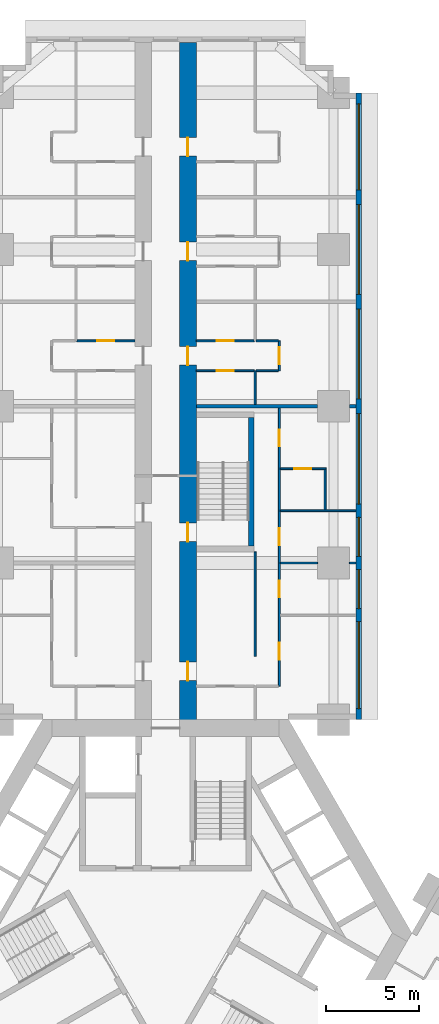
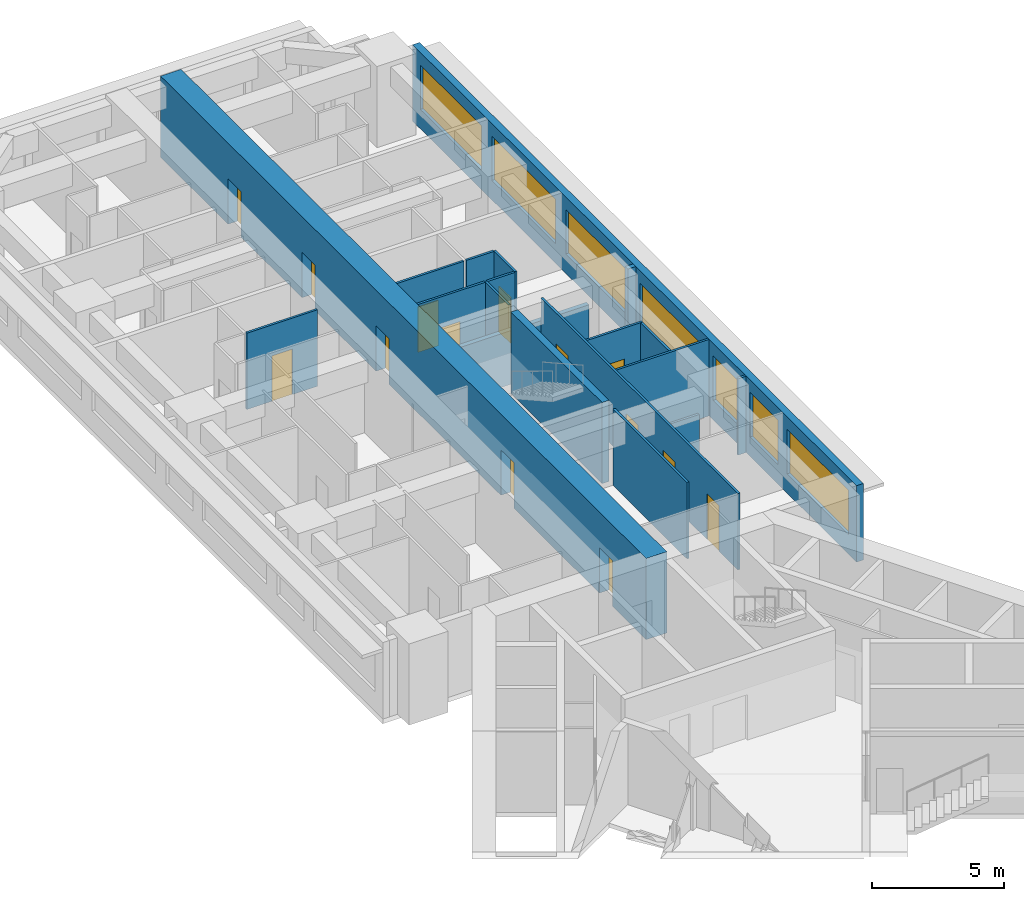
# One storey, part 10 of 16: 19 walls, 14 doors, 7 windows, 21 openings.
"""IFC4 building model written with IfcOpenShell, lengths in metres."""

from ifc_helpers import new_model, si_unit, direction, frame, frame_2d, origin, place, context, subcontext, project, spatial, rectangle, extrude, material, layer, layer_set, type_object, element, fill, save


model = new_model("IFC4")

# Units and contexts
model_context = context("Model", 3, precision=1e-05, world=origin(), true_north=direction((0.0, 1.0)))
body_context = subcontext(model_context, "Body", "Model", "MODEL_VIEW")
ifc_project = project(units=[si_unit("LENGTHUNIT", "METRE"), si_unit("AREAUNIT", "SQUARE_METRE"), si_unit("VOLUMEUNIT", "CUBIC_METRE"), si_unit("PLANEANGLEUNIT", "RADIAN"), si_unit("MASSUNIT", "GRAM", prefix="KILO")], contexts=[model_context])

# Site, building, storey
site_placement = place(None, origin())
site = spatial("IfcSite", under=ifc_project, at=site_placement, CompositionType="ELEMENT")
building_placement = place(site_placement, origin())
building = spatial("IfcBuilding", under=site, at=building_placement, Name="Impinga Residences", CompositionType="ELEMENT")
storey_placement = place(building_placement, frame((0.0, 0.0, 41.0)))
storey = spatial("IfcBuildingStorey", under=building, at=storey_placement, Name="L09", CompositionType="ELEMENT", Elevation=41.0)

# Wall, openings, doors
ifc_material_1 = material(Name="Concrete C70/85", Category="concrete")
ifc_layer_1 = layer(ifc_material_1, 0.89990234375)
ifc_layer_set_1 = layer_set([ifc_layer_1], Name="Concrete C70/85")
wall_type_1 = type_object("IfcWallType", Name="BW1 corridor buttress wall, L05 to L22 900", PredefinedType="SHEAR", material=ifc_layer_set_1)
wall_1_placement = place(storey_placement, frame((1.199951171875, 10.9814453125, 0.0), z_axis=(0.0, 0.0, 1.0), x_axis=(0.0, 1.0, 0.0)))
wall_1 = element("IfcWall", 1, at=wall_1_placement, inside=storey, type_object=wall_type_1, Name="Corridor wall BW1 ND L09", PredefinedType="SHEAR", context=body_context, shape_type="SweptSolid", body=[
    extrude(rectangle(XDim=36.75, YDim=0.89990234375, at=frame_2d((18.375, 0.0))), origin(), (0.0, 0.0, 1.0), 3.75),
])
opening_1_placement = place(wall_1_placement, frame((10.0, 0.0, 0.0)))
opening_1 = element("IfcOpeningElement", 2, at=opening_1_placement, cuts=wall_1, Name="Opening D5", PredefinedType="OPENING", context=body_context, shape_type="SweptSolid", body=[
    extrude(rectangle(XDim=1.0, YDim=2.10009765625, at=frame_2d((0.5, 1.050048828125))), frame((0.0, 0.4599609375, 0.0), z_axis=(0.0, -1.0, 0.0), x_axis=(1.0, 0.0, 0.0)), (0.0, 0.0, 1.0), 0.919921875),
])
opening_2_placement = place(wall_1_placement, frame((2.550048828125, 0.0, 0.0)))
opening_2 = element("IfcOpeningElement", 3, at=opening_2_placement, cuts=wall_1, Name="Opening D1", PredefinedType="OPENING", context=body_context, shape_type="SweptSolid", body=[
    extrude(rectangle(XDim=1.0, YDim=2.10009765625, at=frame_2d((0.5, 1.050048828125))), frame((0.0, 0.4599609375, 0.0), z_axis=(0.0, -1.0, 0.0), x_axis=(1.0, 0.0, 0.0)), (0.0, 0.0, 1.0), 0.919921875),
])
opening_3_placement = place(wall_1_placement, frame((19.449951171875, 0.0, 0.0)))
opening_3 = element("IfcOpeningElement", 4, at=opening_3_placement, cuts=wall_1, Name="Opening D1", PredefinedType="OPENING", context=body_context, shape_type="SweptSolid", body=[
    extrude(rectangle(XDim=1.0, YDim=2.10009765625, at=frame_2d((0.5, 1.050048828125))), frame((0.0, 0.4599609375, 0.0), z_axis=(0.0, -1.0, 0.0), x_axis=(1.0, 0.0, 0.0)), (0.0, 0.0, 1.0), 0.919921875),
])
opening_4_placement = place(wall_1_placement, frame((25.050048828125, 0.0, 0.0)))
opening_4 = element("IfcOpeningElement", 5, at=opening_4_placement, cuts=wall_1, Name="Opening D1", PredefinedType="OPENING", context=body_context, shape_type="SweptSolid", body=[
    extrude(rectangle(XDim=1.0, YDim=2.10009765625, at=frame_2d((0.5, 1.050048828125))), frame((0.0, 0.4599609375, 0.0), z_axis=(0.0, -1.0, 0.0), x_axis=(1.0, 0.0, 0.0)), (0.0, 0.0, 1.0), 0.919921875),
])
opening_5_placement = place(wall_1_placement, frame((30.64990234375, 0.0, 0.0)))
opening_5 = element("IfcOpeningElement", 6, at=opening_5_placement, cuts=wall_1, Name="Opening D1", PredefinedType="OPENING", context=body_context, shape_type="SweptSolid", body=[
    extrude(rectangle(XDim=1.0, YDim=2.10009765625, at=frame_2d((0.5, 1.050048828125))), frame((0.0, 0.4599609375, 0.0), z_axis=(0.0, -1.0, 0.0), x_axis=(1.0, 0.0, 0.0)), (0.0, 0.0, 1.0), 0.919921875),
])
ifc_material_2 = material(Name="Timber door set", Category="wood")
door_type_1 = type_object("IfcDoorType", Name="D1 apartment entrance door 1000x2100", OperationType="SINGLE_SWING_LEFT", PredefinedType="DOOR", material=ifc_material_2)
door_1_placement = place(opening_2_placement, origin())
door_1 = element("IfcDoor", 7, at=door_1_placement, inside=storey, type_object=door_type_1, Name="Apartment L09-NF1 entrance", OperationType="SINGLE_SWING_LEFT", OverallHeight=2.10009765625, OverallWidth=1.0, PredefinedType="DOOR", context=body_context, shape_type="SweptSolid", body=[
    extrude(rectangle(XDim=1.0, YDim=2.10009765625, at=frame_2d((0.5, 1.050048828125))), frame((0.0, 0.02490234375, 0.0), z_axis=(0.0, -1.0, 0.0), x_axis=(1.0, 0.0, 0.0)), (0.0, 0.0, 1.0), 0.050048828125),
])
fill(opening_2, door_1)
door_2_placement = place(opening_3_placement, origin())
door_2 = element("IfcDoor", 8, at=door_2_placement, inside=storey, type_object=door_type_1, Name="Apartment L09-NF2 entrance", OperationType="SINGLE_SWING_RIGHT", OverallHeight=2.10009765625, OverallWidth=1.0, PredefinedType="DOOR", context=body_context, shape_type="SweptSolid", body=[
    extrude(rectangle(XDim=1.0, YDim=2.10009765625, at=frame_2d((0.5, 1.050048828125))), frame((0.0, 0.02490234375, 0.0), z_axis=(0.0, -1.0, 0.0), x_axis=(1.0, 0.0, 0.0)), (0.0, 0.0, 1.0), 0.050048828125),
])
fill(opening_3, door_2)
door_3_placement = place(opening_4_placement, origin())
door_3 = element("IfcDoor", 9, at=door_3_placement, inside=storey, type_object=door_type_1, Name="Apartment L09-NF3 entrance", OperationType="SINGLE_SWING_RIGHT", OverallHeight=2.10009765625, OverallWidth=1.0, PredefinedType="DOOR", context=body_context, shape_type="SweptSolid", body=[
    extrude(rectangle(XDim=1.0, YDim=2.10009765625, at=frame_2d((0.5, 1.050048828125))), frame((0.0, 0.02490234375, 0.0), z_axis=(0.0, -1.0, 0.0), x_axis=(1.0, 0.0, 0.0)), (0.0, 0.0, 1.0), 0.050048828125),
])
fill(opening_4, door_3)
door_4_placement = place(opening_5_placement, origin())
door_4 = element("IfcDoor", 10, at=door_4_placement, inside=storey, type_object=door_type_1, Name="Apartment L09-NF4 entrance", OperationType="SINGLE_SWING_RIGHT", OverallHeight=2.10009765625, OverallWidth=1.0, PredefinedType="DOOR", context=body_context, shape_type="SweptSolid", body=[
    extrude(rectangle(XDim=1.0, YDim=2.10009765625, at=frame_2d((0.5, 1.050048828125))), frame((0.0, 0.02490234375, 0.0), z_axis=(0.0, -1.0, 0.0), x_axis=(1.0, 0.0, 0.0)), (0.0, 0.0, 1.0), 0.050048828125),
])
fill(opening_5, door_4)
door_type_2 = type_object("IfcDoorType", Name="D5 stair door 1000x2100", OperationType="SINGLE_SWING_LEFT", PredefinedType="DOOR", material=ifc_material_2)
door_5_placement = place(opening_1_placement, origin())
door_5 = element("IfcDoor", 11, at=door_5_placement, inside=storey, type_object=door_type_2, Name="Wing stair door N", OperationType="SINGLE_SWING_LEFT", OverallHeight=2.10009765625, OverallWidth=1.0, PredefinedType="DOOR", context=body_context, shape_type="SweptSolid", body=[
    extrude(rectangle(XDim=1.0, YDim=2.10009765625, at=frame_2d((0.5, 1.050048828125))), frame((0.0, 0.02490234375, 0.0), z_axis=(0.0, -1.0, 0.0), x_axis=(1.0, 0.0, 0.0)), (0.0, 0.0, 1.0), 0.050048828125),
])
fill(opening_1, door_5)

# Wall, openings, windows
ifc_material_3 = material(Name="Terracotta rainscreen on blockwork", Category="masonry")
ifc_layer_2 = layer(ifc_material_3, 0.300048828125)
ifc_layer_set_2 = layer_set([ifc_layer_2], Name="EW1 external wall, terracotta rainscreen on blockwork 300")
wall_type_2 = type_object("IfcWallType", Name="EW1 external wall, terracotta rainscreen on blockwork 300", PredefinedType="SOLIDWALL", material=ifc_layer_set_2)
wall_2_placement = place(storey_placement, frame((10.35009765625, 45.031494140625, 0.0), z_axis=(0.0, 0.0, 1.0), x_axis=(0.0, -1.0, 0.0)))
wall_2 = element("IfcWall", 12, at=wall_2_placement, inside=storey, type_object=wall_type_2, Name="External wall EW1 L09", PredefinedType="SOLIDWALL", context=body_context, shape_type="SweptSolid", body=[
    extrude(rectangle(XDim=33.599853515625, YDim=0.300048828125, at=frame_2d((16.7998046875, 0.0))), origin(), (0.0, 0.0, 1.0), 3.530029296875),
])
opening_6_placement = place(wall_2_placement, frame((0.60009765625, 0.0, 0.89990234375)))
opening_6 = element("IfcOpeningElement", 13, at=opening_6_placement, cuts=wall_2, Name="Opening W3", PredefinedType="OPENING", context=body_context, shape_type="SweptSolid", body=[
    extrude(rectangle(XDim=4.60009765625, YDim=2.050048828125, at=frame_2d((2.300048828125, 1.02490234375))), frame((0.0, 0.159912109375, 0.0), z_axis=(0.0, -1.0, 0.0), x_axis=(1.0, 0.0, 0.0)), (0.0, 0.0, 1.0), 0.320068359375),
])
opening_7_placement = place(wall_2_placement, frame((6.0, 0.0, 0.89990234375)))
opening_7 = element("IfcOpeningElement", 14, at=opening_7_placement, cuts=wall_2, Name="Opening W8", PredefinedType="OPENING", context=body_context, shape_type="SweptSolid", body=[
    extrude(rectangle(XDim=4.800048828125, YDim=2.050048828125, at=frame_2d((2.39990234375, 1.02490234375))), frame((0.0, 0.159912109375, 0.0), z_axis=(0.0, -1.0, 0.0), x_axis=(1.0, 0.0, 0.0)), (0.0, 0.0, 1.0), 0.320068359375),
])
opening_8_placement = place(wall_2_placement, frame((11.60009765625, 0.0, 0.89990234375)))
opening_8 = element("IfcOpeningElement", 15, at=opening_8_placement, cuts=wall_2, Name="Opening W8", PredefinedType="OPENING", context=body_context, shape_type="SweptSolid", body=[
    extrude(rectangle(XDim=4.800048828125, YDim=2.050048828125, at=frame_2d((2.39990234375, 1.02490234375))), frame((0.0, 0.159912109375, 0.0), z_axis=(0.0, -1.0, 0.0), x_axis=(1.0, 0.0, 0.0)), (0.0, 0.0, 1.0), 0.320068359375),
])
opening_9_placement = place(wall_2_placement, frame((17.199951171875, 0.0, 0.89990234375)))
opening_9 = element("IfcOpeningElement", 16, at=opening_9_placement, cuts=wall_2, Name="Opening W6", PredefinedType="OPENING", context=body_context, shape_type="SweptSolid", body=[
    extrude(rectangle(XDim=4.85009765625, YDim=2.050048828125, at=frame_2d((2.425048828125, 1.02490234375))), frame((0.0, 0.159912109375, 0.0), z_axis=(0.0, -1.0, 0.0), x_axis=(1.0, 0.0, 0.0)), (0.0, 0.0, 1.0), 0.320068359375),
])
opening_10_placement = place(wall_2_placement, frame((22.75, 0.0, 0.89990234375)))
opening_10 = element("IfcOpeningElement", 17, at=opening_10_placement, cuts=wall_2, Name="Opening W9", PredefinedType="OPENING", context=body_context, shape_type="SweptSolid", body=[
    extrude(rectangle(XDim=2.10009765625, YDim=2.050048828125, at=frame_2d((1.050048828125, 1.02490234375))), frame((0.0, 0.159912109375, 0.0), z_axis=(0.0, -1.0, 0.0), x_axis=(1.0, 0.0, 0.0)), (0.0, 0.0, 1.0), 0.320068359375),
])
opening_11_placement = place(wall_2_placement, frame((25.550048828125, 0.0, 0.89990234375)))
opening_11 = element("IfcOpeningElement", 18, at=opening_11_placement, cuts=wall_2, Name="Opening W9", PredefinedType="OPENING", context=body_context, shape_type="SweptSolid", body=[
    extrude(rectangle(XDim=2.10009765625, YDim=2.050048828125, at=frame_2d((1.050048828125, 1.02490234375))), frame((0.0, 0.159912109375, 0.0), z_axis=(0.0, -1.0, 0.0), x_axis=(1.0, 0.0, 0.0)), (0.0, 0.0, 1.0), 0.320068359375),
])
opening_12_placement = place(wall_2_placement, frame((28.35009765625, 0.0, 0.89990234375)))
opening_12 = element("IfcOpeningElement", 19, at=opening_12_placement, cuts=wall_2, Name="Opening W10", PredefinedType="OPENING", context=body_context, shape_type="SweptSolid", body=[
    extrude(rectangle(XDim=4.64990234375, YDim=2.050048828125, at=frame_2d((2.324951171875, 1.02490234375))), frame((0.0, 0.159912109375, 0.0), z_axis=(0.0, -1.0, 0.0), x_axis=(1.0, 0.0, 0.0)), (0.0, 0.0, 1.0), 0.320068359375),
])
ifc_material_4 = material(Name="Aluminium window, clear double glazing", Category="aluminium")
window_type_1 = type_object("IfcWindowType", Name="W10 ribbon window 4650x2050", PartitioningType="SINGLE_PANEL", PredefinedType="WINDOW", material=ifc_material_4)
window_1_placement = place(opening_12_placement, origin())
window_1 = element("IfcWindow", 20, at=window_1_placement, inside=storey, type_object=window_type_1, Name="Window L09", OverallHeight=2.050048828125, OverallWidth=4.64990234375, PartitioningType="SINGLE_PANEL", PredefinedType="WINDOW", context=body_context, shape_type="SweptSolid", body=[
    extrude(rectangle(XDim=4.64990234375, YDim=2.050048828125, at=frame_2d((2.324951171875, 1.02490234375))), frame((0.0, 0.030029296875, 0.0), z_axis=(0.0, -1.0, 0.0), x_axis=(1.0, 0.0, 0.0)), (0.0, 0.0, 1.0), 0.06005859375),
])
fill(opening_12, window_1)
window_type_2 = type_object("IfcWindowType", Name="W3 ribbon window 4600x2050", PartitioningType="SINGLE_PANEL", PredefinedType="WINDOW", material=ifc_material_4)
window_2_placement = place(opening_6_placement, origin())
window_2 = element("IfcWindow", 21, at=window_2_placement, inside=storey, type_object=window_type_2, Name="Window L09", OverallHeight=2.050048828125, OverallWidth=4.60009765625, PartitioningType="SINGLE_PANEL", PredefinedType="WINDOW", context=body_context, shape_type="SweptSolid", body=[
    extrude(rectangle(XDim=4.60009765625, YDim=2.050048828125, at=frame_2d((2.300048828125, 1.02490234375))), frame((0.0, 0.030029296875, 0.0), z_axis=(0.0, -1.0, 0.0), x_axis=(1.0, 0.0, 0.0)), (0.0, 0.0, 1.0), 0.06005859375),
])
fill(opening_6, window_2)
window_type_3 = type_object("IfcWindowType", Name="W6 ribbon window 4850x2050", PartitioningType="SINGLE_PANEL", PredefinedType="WINDOW", material=ifc_material_4)
window_3_placement = place(opening_9_placement, origin())
window_3 = element("IfcWindow", 22, at=window_3_placement, inside=storey, type_object=window_type_3, Name="Window L09", OverallHeight=2.050048828125, OverallWidth=4.85009765625, PartitioningType="SINGLE_PANEL", PredefinedType="WINDOW", context=body_context, shape_type="SweptSolid", body=[
    extrude(rectangle(XDim=4.85009765625, YDim=2.050048828125, at=frame_2d((2.425048828125, 1.02490234375))), frame((0.0, 0.030029296875, 0.0), z_axis=(0.0, -1.0, 0.0), x_axis=(1.0, 0.0, 0.0)), (0.0, 0.0, 1.0), 0.06005859375),
])
fill(opening_9, window_3)
window_type_4 = type_object("IfcWindowType", Name="W8 ribbon window 4800x2050", PartitioningType="SINGLE_PANEL", PredefinedType="WINDOW", material=ifc_material_4)
window_4_placement = place(opening_7_placement, origin())
window_4 = element("IfcWindow", 23, at=window_4_placement, inside=storey, type_object=window_type_4, Name="Window L09", OverallHeight=2.050048828125, OverallWidth=4.800048828125, PartitioningType="SINGLE_PANEL", PredefinedType="WINDOW", context=body_context, shape_type="SweptSolid", body=[
    extrude(rectangle(XDim=4.800048828125, YDim=2.050048828125, at=frame_2d((2.39990234375, 1.02490234375))), frame((0.0, 0.030029296875, 0.0), z_axis=(0.0, -1.0, 0.0), x_axis=(1.0, 0.0, 0.0)), (0.0, 0.0, 1.0), 0.06005859375),
])
fill(opening_7, window_4)
window_5_placement = place(opening_8_placement, origin())
window_5 = element("IfcWindow", 24, at=window_5_placement, inside=storey, type_object=window_type_4, Name="Window L09", OverallHeight=2.050048828125, OverallWidth=4.800048828125, PartitioningType="SINGLE_PANEL", PredefinedType="WINDOW", context=body_context, shape_type="SweptSolid", body=[
    extrude(rectangle(XDim=4.800048828125, YDim=2.050048828125, at=frame_2d((2.39990234375, 1.02490234375))), frame((0.0, 0.030029296875, 0.0), z_axis=(0.0, -1.0, 0.0), x_axis=(1.0, 0.0, 0.0)), (0.0, 0.0, 1.0), 0.06005859375),
])
fill(opening_8, window_5)
window_type_5 = type_object("IfcWindowType", Name="W9 ribbon window 2100x2050", PartitioningType="SINGLE_PANEL", PredefinedType="WINDOW", material=ifc_material_4)
window_6_placement = place(opening_10_placement, origin())
window_6 = element("IfcWindow", 25, at=window_6_placement, inside=storey, type_object=window_type_5, Name="Window L09", OverallHeight=2.050048828125, OverallWidth=2.10009765625, PartitioningType="SINGLE_PANEL", PredefinedType="WINDOW", context=body_context, shape_type="SweptSolid", body=[
    extrude(rectangle(XDim=2.10009765625, YDim=2.050048828125, at=frame_2d((1.050048828125, 1.02490234375))), frame((0.0, 0.030029296875, 0.0), z_axis=(0.0, -1.0, 0.0), x_axis=(1.0, 0.0, 0.0)), (0.0, 0.0, 1.0), 0.06005859375),
])
fill(opening_10, window_6)
window_7_placement = place(opening_11_placement, origin())
window_7 = element("IfcWindow", 26, at=window_7_placement, inside=storey, type_object=window_type_5, Name="Window L09", OverallHeight=2.050048828125, OverallWidth=2.10009765625, PartitioningType="SINGLE_PANEL", PredefinedType="WINDOW", context=body_context, shape_type="SweptSolid", body=[
    extrude(rectangle(XDim=2.10009765625, YDim=2.050048828125, at=frame_2d((1.050048828125, 1.02490234375))), frame((0.0, 0.030029296875, 0.0), z_axis=(0.0, -1.0, 0.0), x_axis=(1.0, 0.0, 0.0)), (0.0, 0.0, 1.0), 0.06005859375),
])
fill(opening_11, window_7)

# Wall, opening, door
ifc_material_5 = material(Name="Gypsum board on steel studs", Category="steel")
ifc_layer_3 = layer(ifc_material_5, 0.10009765625)
ifc_layer_set_3 = layer_set([ifc_layer_3], Name="Gypsum board on steel studs")
wall_type_3 = type_object("IfcWallType", Name="IP1 partition 100", PredefinedType="PARTITIONING", material=ifc_layer_set_3)
wall_3_placement = place(storey_placement, frame((-1.64990234375, 31.7314453125, 0.0), z_axis=(0.0, 0.0, 1.0), x_axis=(-1.0, 0.0, 0.0)))
wall_3 = element("IfcWall", 27, at=wall_3_placement, inside=storey, type_object=wall_type_3, Name="Partition L09-NA3:IB2", PredefinedType="PARTITIONING", context=body_context, shape_type="SweptSolid", body=[
    extrude(rectangle(XDim=3.10009765625, YDim=0.10009765625, at=frame_2d((1.550048828125, 0.0))), origin(), (0.0, 0.0, 1.0), 3.530029296875),
])
opening_13_placement = place(wall_3_placement, frame((1.10009765625, 0.0, 0.0)))
opening_13 = element("IfcOpeningElement", 28, at=opening_13_placement, cuts=wall_3, Name="Opening D2", PredefinedType="OPENING", context=body_context, shape_type="SweptSolid", body=[
    extrude(rectangle(XDim=0.89990234375, YDim=2.10009765625, at=frame_2d((0.449951171875, 1.050048828125))), frame((0.0, 0.06005859375, 0.0), z_axis=(0.0, -1.0, 0.0), x_axis=(1.0, 0.0, 0.0)), (0.0, 0.0, 1.0), 0.1201171875),
])
door_type_3 = type_object("IfcDoorType", Name="D2 internal door 900x2100", OperationType="SINGLE_SWING_LEFT", PredefinedType="DOOR", material=ifc_material_2)
door_6_placement = place(opening_13_placement, origin())
door_6 = element("IfcDoor", 29, at=door_6_placement, inside=storey, type_object=door_type_3, Name="Apartment L09-NA3 WC door", OperationType="SINGLE_SWING_LEFT", OverallHeight=2.10009765625, OverallWidth=0.89990234375, PredefinedType="DOOR", context=body_context, shape_type="SweptSolid", body=[
    extrude(rectangle(XDim=0.89990234375, YDim=2.10009765625, at=frame_2d((0.449951171875, 1.050048828125))), frame((0.0, 0.02490234375, 0.0), z_axis=(0.0, -1.0, 0.0), x_axis=(1.0, 0.0, 0.0)), (0.0, 0.0, 1.0), 0.050048828125),
])
fill(opening_13, door_6)

# Wall
wall_4_placement = place(storey_placement, frame((4.800048828125, 14.83154296875, 0.0), z_axis=(0.0, 0.0, 1.0), x_axis=(0.0, 1.0, 0.0)))
element("IfcWall", 30, at=wall_4_placement, inside=storey, type_object=wall_type_3, Name="Partition L09-NF1:DIV1", PredefinedType="PARTITIONING", context=body_context, shape_type="SweptSolid", body=[
    extrude(rectangle(XDim=5.60009765625, YDim=0.10009765625, at=frame_2d((2.800048828125, 0.0))), origin(), (0.0, 0.0, 1.0), 3.530029296875),
])

# Wall, openings, doors
wall_5_placement = place(storey_placement, frame((6.10009765625, 13.2314453125, 0.0), z_axis=(0.0, 0.0, 1.0), x_axis=(0.0, 1.0, 0.0)))
wall_5 = element("IfcWall", 31, at=wall_5_placement, inside=storey, type_object=wall_type_3, Name="Partition L09-NF1:STRIP", PredefinedType="PARTITIONING", context=body_context, shape_type="SweptSolid", body=[
    extrude(rectangle(XDim=14.900146484375, YDim=0.10009765625, at=frame_2d((7.4501953125, 0.0))), origin(), (0.0, 0.0, 1.0), 3.530029296875),
])
opening_14_placement = place(wall_5_placement, frame((1.425048828125, 0.0, 0.0)))
opening_14 = element("IfcOpeningElement", 32, at=opening_14_placement, cuts=wall_5, Name="Opening D2", PredefinedType="OPENING", context=body_context, shape_type="SweptSolid", body=[
    extrude(rectangle(XDim=0.89990234375, YDim=2.10009765625, at=frame_2d((0.449951171875, 1.050048828125))), frame((0.0, 0.06005859375, 0.0), z_axis=(0.0, -1.0, 0.0), x_axis=(1.0, 0.0, 0.0)), (0.0, 0.0, 1.0), 0.1201171875),
])
opening_15_placement = place(wall_5_placement, frame((4.75, 0.0, 0.0)))
opening_15 = element("IfcOpeningElement", 33, at=opening_15_placement, cuts=wall_5, Name="Opening D2", PredefinedType="OPENING", context=body_context, shape_type="SweptSolid", body=[
    extrude(rectangle(XDim=0.89990234375, YDim=2.10009765625, at=frame_2d((0.449951171875, 1.050048828125))), frame((0.0, 0.06005859375, 0.0), z_axis=(0.0, -1.0, 0.0), x_axis=(1.0, 0.0, 0.0)), (0.0, 0.0, 1.0), 0.1201171875),
])
opening_16_placement = place(wall_5_placement, frame((7.550048828125, 0.0, 0.0)))
opening_16 = element("IfcOpeningElement", 34, at=opening_16_placement, cuts=wall_5, Name="Opening D2", PredefinedType="OPENING", context=body_context, shape_type="SweptSolid", body=[
    extrude(rectangle(XDim=0.89990234375, YDim=2.10009765625, at=frame_2d((0.449951171875, 1.050048828125))), frame((0.0, 0.06005859375, 0.0), z_axis=(0.0, -1.0, 0.0), x_axis=(1.0, 0.0, 0.0)), (0.0, 0.0, 1.0), 0.1201171875),
])
opening_17_placement = place(wall_5_placement, frame((12.85009765625, 0.0, 0.0)))
opening_17 = element("IfcOpeningElement", 35, at=opening_17_placement, cuts=wall_5, Name="Opening D2", PredefinedType="OPENING", context=body_context, shape_type="SweptSolid", body=[
    extrude(rectangle(XDim=0.89990234375, YDim=2.10009765625, at=frame_2d((0.449951171875, 1.050048828125))), frame((0.0, 0.06005859375, 0.0), z_axis=(0.0, -1.0, 0.0), x_axis=(1.0, 0.0, 0.0)), (0.0, 0.0, 1.0), 0.1201171875),
])
door_7_placement = place(opening_14_placement, origin())
door_7 = element("IfcDoor", 36, at=door_7_placement, inside=storey, type_object=door_type_3, Name="Apartment L09-NF1 room door", OperationType="SINGLE_SWING_LEFT", OverallHeight=2.10009765625, OverallWidth=0.89990234375, PredefinedType="DOOR", context=body_context, shape_type="SweptSolid", body=[
    extrude(rectangle(XDim=0.89990234375, YDim=2.10009765625, at=frame_2d((0.449951171875, 1.050048828125))), frame((0.0, 0.02490234375, 0.0), z_axis=(0.0, -1.0, 0.0), x_axis=(1.0, 0.0, 0.0)), (0.0, 0.0, 1.0), 0.050048828125),
])
fill(opening_14, door_7)
door_8_placement = place(opening_15_placement, origin())
door_8 = element("IfcDoor", 37, at=door_8_placement, inside=storey, type_object=door_type_3, Name="Apartment L09-NF1 room door", OperationType="SINGLE_SWING_LEFT", OverallHeight=2.10009765625, OverallWidth=0.89990234375, PredefinedType="DOOR", context=body_context, shape_type="SweptSolid", body=[
    extrude(rectangle(XDim=0.89990234375, YDim=2.10009765625, at=frame_2d((0.449951171875, 1.050048828125))), frame((0.0, 0.02490234375, 0.0), z_axis=(0.0, -1.0, 0.0), x_axis=(1.0, 0.0, 0.0)), (0.0, 0.0, 1.0), 0.050048828125),
])
fill(opening_15, door_8)
door_9_placement = place(opening_16_placement, origin())
door_9 = element("IfcDoor", 38, at=door_9_placement, inside=storey, type_object=door_type_3, Name="Apartment L09-NF1 room door", OperationType="SINGLE_SWING_RIGHT", OverallHeight=2.10009765625, OverallWidth=0.89990234375, PredefinedType="DOOR", context=body_context, shape_type="SweptSolid", body=[
    extrude(rectangle(XDim=0.89990234375, YDim=2.10009765625, at=frame_2d((0.449951171875, 1.050048828125))), frame((0.0, 0.02490234375, 0.0), z_axis=(0.0, -1.0, 0.0), x_axis=(1.0, 0.0, 0.0)), (0.0, 0.0, 1.0), 0.050048828125),
])
fill(opening_16, door_9)
door_10_placement = place(opening_17_placement, origin())
door_10 = element("IfcDoor", 39, at=door_10_placement, inside=storey, type_object=door_type_3, Name="Apartment L09-NF1 room door", OperationType="SINGLE_SWING_RIGHT", OverallHeight=2.10009765625, OverallWidth=0.89990234375, PredefinedType="DOOR", context=body_context, shape_type="SweptSolid", body=[
    extrude(rectangle(XDim=0.89990234375, YDim=2.10009765625, at=frame_2d((0.449951171875, 1.050048828125))), frame((0.0, 0.02490234375, 0.0), z_axis=(0.0, -1.0, 0.0), x_axis=(1.0, 0.0, 0.0)), (0.0, 0.0, 1.0), 0.050048828125),
])
fill(opening_17, door_10)

# Walls
wall_6_placement = place(storey_placement, frame((6.14990234375, 19.83154296875, 0.0), z_axis=(0.0, 0.0, 1.0), x_axis=(1.0, 0.0, 0.0)))
element("IfcWall", 40, at=wall_6_placement, inside=storey, type_object=wall_type_3, Name="Partition L09-NF1:OB2", PredefinedType="PARTITIONING", context=body_context, shape_type="SweptSolid", body=[
    extrude(rectangle(XDim=2.0, YDim=0.10009765625, at=frame_2d((1.0, 0.0))), origin(), (0.0, 0.0, 1.0), 2.47998046875),
])
wall_7_placement = place(storey_placement, frame((9.85009765625, 19.83154296875, 0.0), z_axis=(0.0, 0.0, 1.0), x_axis=(1.0, 0.0, 0.0)))
element("IfcWall", 41, at=wall_7_placement, inside=storey, type_object=wall_type_3, Name="Partition L09-NF1:OB2b", PredefinedType="PARTITIONING", context=body_context, shape_type="SweptSolid", body=[
    extrude(rectangle(XDim=0.349853515625, YDim=0.10009765625, at=frame_2d((0.1748046875, 0.0))), origin(), (0.0, 0.0, 1.0), 3.530029296875),
])
wall_8_placement = place(storey_placement, frame((6.14990234375, 22.631591796875, 0.0), z_axis=(0.0, 0.0, 1.0), x_axis=(1.0, 0.0, 0.0)))
element("IfcWall", 42, at=wall_8_placement, inside=storey, type_object=wall_type_3, Name="Partition L09-NF1:OB3", PredefinedType="PARTITIONING", context=body_context, shape_type="SweptSolid", body=[
    extrude(rectangle(XDim=4.050048828125, YDim=0.10009765625, at=frame_2d((2.02490234375, 0.0))), origin(), (0.0, 0.0, 1.0), 3.530029296875),
])

# Wall, opening, door
wall_9_placement = place(storey_placement, frame((6.14990234375, 24.881591796875, 0.0), z_axis=(0.0, 0.0, 1.0), x_axis=(1.0, 0.0, 0.0)))
wall_9 = element("IfcWall", 43, at=wall_9_placement, inside=storey, type_object=wall_type_3, Name="Partition L09-NF1:EN1", PredefinedType="PARTITIONING", context=body_context, shape_type="SweptSolid", body=[
    extrude(rectangle(XDim=2.4501953125, YDim=0.10009765625, at=frame_2d((1.22509765625, 0.0))), origin(), (0.0, 0.0, 1.0), 3.530029296875),
])
opening_18_placement = place(wall_9_placement, frame((0.75, 0.0, 0.0)))
opening_18 = element("IfcOpeningElement", 44, at=opening_18_placement, cuts=wall_9, Name="Opening D2", PredefinedType="OPENING", context=body_context, shape_type="SweptSolid", body=[
    extrude(rectangle(XDim=0.89990234375, YDim=2.10009765625, at=frame_2d((0.449951171875, 1.050048828125))), frame((0.0, 0.06005859375, 0.0), z_axis=(0.0, -1.0, 0.0), x_axis=(1.0, 0.0, 0.0)), (0.0, 0.0, 1.0), 0.1201171875),
])
door_11_placement = place(opening_18_placement, origin())
door_11 = element("IfcDoor", 45, at=door_11_placement, inside=storey, type_object=door_type_3, Name="Apartment L09-NF1 en-suite door", OperationType="SINGLE_SWING_LEFT", OverallHeight=2.10009765625, OverallWidth=0.89990234375, PredefinedType="DOOR", context=body_context, shape_type="SweptSolid", body=[
    extrude(rectangle(XDim=0.89990234375, YDim=2.10009765625, at=frame_2d((0.449951171875, 1.050048828125))), frame((0.0, 0.02490234375, 0.0), z_axis=(0.0, -1.0, 0.0), x_axis=(1.0, 0.0, 0.0)), (0.0, 0.0, 1.0), 0.050048828125),
])
fill(opening_18, door_11)

# Walls
wall_10_placement = place(storey_placement, frame((8.550048828125, 22.681640625, 0.0), z_axis=(0.0, 0.0, 1.0), x_axis=(0.0, 1.0, 0.0)))
element("IfcWall", 46, at=wall_10_placement, inside=storey, type_object=wall_type_3, Name="Partition L09-NF1:EN2", PredefinedType="PARTITIONING", context=body_context, shape_type="SweptSolid", body=[
    extrude(rectangle(XDim=2.14990234375, YDim=0.10009765625, at=frame_2d((1.074951171875, 0.0))), origin(), (0.0, 0.0, 1.0), 3.530029296875),
])
wall_11_placement = place(storey_placement, frame((4.800048828125, 28.33154296875, 0.0), z_axis=(0.0, 0.0, 1.0), x_axis=(0.0, 1.0, 0.0)))
element("IfcWall", 47, at=wall_11_placement, inside=storey, type_object=wall_type_3, Name="Partition L09-NF2:DIV0", PredefinedType="PARTITIONING", context=body_context, shape_type="SweptSolid", body=[
    extrude(rectangle(XDim=1.800048828125, YDim=0.10009765625, at=frame_2d((0.89990234375, 0.0))), origin(), (0.0, 0.0, 1.0), 3.530029296875),
])

# Wall, opening, door
wall_12_placement = place(storey_placement, frame((6.10009765625, 30.131591796875, 0.0), z_axis=(0.0, 0.0, 1.0), x_axis=(0.0, 1.0, 0.0)))
wall_12 = element("IfcWall", 48, at=wall_12_placement, inside=storey, type_object=wall_type_3, Name="Partition L09-NF2:STRIP", PredefinedType="PARTITIONING", context=body_context, shape_type="SweptSolid", body=[
    extrude(rectangle(XDim=1.599853515625, YDim=0.10009765625, at=frame_2d((0.7998046875, 0.0))), origin(), (0.0, 0.0, 1.0), 3.530029296875),
])
opening_19_placement = place(wall_12_placement, frame((0.35009765625, 0.0, 0.0)))
opening_19 = element("IfcOpeningElement", 49, at=opening_19_placement, cuts=wall_12, Name="Opening D2", PredefinedType="OPENING", context=body_context, shape_type="SweptSolid", body=[
    extrude(rectangle(XDim=0.89990234375, YDim=2.10009765625, at=frame_2d((0.449951171875, 1.050048828125))), frame((0.0, 0.06005859375, 0.0), z_axis=(0.0, -1.0, 0.0), x_axis=(1.0, 0.0, 0.0)), (0.0, 0.0, 1.0), 0.1201171875),
])
door_12_placement = place(opening_19_placement, origin())
door_12 = element("IfcDoor", 50, at=door_12_placement, inside=storey, type_object=door_type_3, Name="Apartment L09-NF2 room door", OperationType="SINGLE_SWING_LEFT", OverallHeight=2.10009765625, OverallWidth=0.89990234375, PredefinedType="DOOR", context=body_context, shape_type="SweptSolid", body=[
    extrude(rectangle(XDim=0.89990234375, YDim=2.10009765625, at=frame_2d((0.449951171875, 1.050048828125))), frame((0.0, 0.02490234375, 0.0), z_axis=(0.0, -1.0, 0.0), x_axis=(1.0, 0.0, 0.0)), (0.0, 0.0, 1.0), 0.050048828125),
])
fill(opening_19, door_12)

# Walls
for number, where, z_axis, x_axis, name in (
    (51, (4.85009765625, 30.131591796875, 0.0), (0.0, 0.0, 1.0), (1.0, 0.0, 0.0), "Partition L09-NF2:SE0"),
    (52, (4.85009765625, 31.7314453125, 0.0), (0.0, 0.0, 1.0), (1.0, 0.0, 0.0), "Partition L09-NF2:SE1"),
):
    element("IfcWall", number, at=place(storey_placement, frame(where, z_axis=z_axis, x_axis=x_axis)), inside=storey, type_object=wall_type_3, Name=name, PredefinedType="PARTITIONING", context=body_context, shape_type="SweptSolid", body=[
        extrude(rectangle(XDim=1.199951171875, YDim=0.10009765625, at=frame_2d((0.60009765625, 0.0))), origin(), (0.0, 0.0, 1.0), 3.530029296875),
    ])

# Wall, opening, door
wall_13_placement = place(storey_placement, frame((1.64990234375, 30.131591796875, 0.0), z_axis=(0.0, 0.0, 1.0), x_axis=(1.0, 0.0, 0.0)))
wall_13 = element("IfcWall", 53, at=wall_13_placement, inside=storey, type_object=wall_type_3, Name="Partition L09-NF2:IB1", PredefinedType="PARTITIONING", context=body_context, shape_type="SweptSolid", body=[
    extrude(rectangle(XDim=3.10009765625, YDim=0.10009765625, at=frame_2d((1.550048828125, 0.0))), origin(), (0.0, 0.0, 1.0), 3.530029296875),
])
opening_20_placement = place(wall_13_placement, frame((1.10009765625, 0.0, 0.0)))
opening_20 = element("IfcOpeningElement", 54, at=opening_20_placement, cuts=wall_13, Name="Opening D2", PredefinedType="OPENING", context=body_context, shape_type="SweptSolid", body=[
    extrude(rectangle(XDim=0.89990234375, YDim=2.10009765625, at=frame_2d((0.449951171875, 1.050048828125))), frame((0.0, 0.06005859375, 0.0), z_axis=(0.0, -1.0, 0.0), x_axis=(1.0, 0.0, 0.0)), (0.0, 0.0, 1.0), 0.1201171875),
])
door_13_placement = place(opening_20_placement, origin())
door_13 = element("IfcDoor", 55, at=door_13_placement, inside=storey, type_object=door_type_3, Name="Apartment L09-NF2 bathroom door", OperationType="SINGLE_SWING_LEFT", OverallHeight=2.10009765625, OverallWidth=0.89990234375, PredefinedType="DOOR", context=body_context, shape_type="SweptSolid", body=[
    extrude(rectangle(XDim=0.89990234375, YDim=2.10009765625, at=frame_2d((0.449951171875, 1.050048828125))), frame((0.0, 0.02490234375, 0.0), z_axis=(0.0, -1.0, 0.0), x_axis=(1.0, 0.0, 0.0)), (0.0, 0.0, 1.0), 0.050048828125),
])
fill(opening_20, door_13)

wall_14_placement = place(storey_placement, frame((1.64990234375, 31.7314453125, 0.0), z_axis=(0.0, 0.0, 1.0), x_axis=(1.0, 0.0, 0.0)))
wall_14 = element("IfcWall", 56, at=wall_14_placement, inside=storey, type_object=wall_type_3, Name="Partition L09-NF2:IB2", PredefinedType="PARTITIONING", context=body_context, shape_type="SweptSolid", body=[
    extrude(rectangle(XDim=3.10009765625, YDim=0.10009765625, at=frame_2d((1.550048828125, 0.0))), origin(), (0.0, 0.0, 1.0), 3.530029296875),
])
opening_21_placement = place(wall_14_placement, frame((1.10009765625, 0.0, 0.0)))
opening_21 = element("IfcOpeningElement", 57, at=opening_21_placement, cuts=wall_14, Name="Opening D2", PredefinedType="OPENING", context=body_context, shape_type="SweptSolid", body=[
    extrude(rectangle(XDim=0.89990234375, YDim=2.10009765625, at=frame_2d((0.449951171875, 1.050048828125))), frame((0.0, 0.06005859375, 0.0), z_axis=(0.0, -1.0, 0.0), x_axis=(1.0, 0.0, 0.0)), (0.0, 0.0, 1.0), 0.1201171875),
])
door_14_placement = place(opening_21_placement, origin())
door_14 = element("IfcDoor", 58, at=door_14_placement, inside=storey, type_object=door_type_3, Name="Apartment L09-NF2 WC door", OperationType="SINGLE_SWING_LEFT", OverallHeight=2.10009765625, OverallWidth=0.89990234375, PredefinedType="DOOR", context=body_context, shape_type="SweptSolid", body=[
    extrude(rectangle(XDim=0.89990234375, YDim=2.10009765625, at=frame_2d((0.449951171875, 1.050048828125))), frame((0.0, 0.02490234375, 0.0), z_axis=(0.0, -1.0, 0.0), x_axis=(1.0, 0.0, 0.0)), (0.0, 0.0, 1.0), 0.050048828125),
])
fill(opening_21, door_14)

# Walls
ifc_material_6 = material(Name="Concrete blockwork", Category="masonry")
ifc_layer_4 = layer(ifc_material_6, 0.199951171875)
ifc_layer_set_4 = layer_set([ifc_layer_4], Name="PW1 party wall between apartments 200")
wall_type_4 = type_object("IfcWallType", Name="PW1 party wall between apartments 200", PredefinedType="SOLIDWALL", material=ifc_layer_set_4)
wall_15_placement = place(storey_placement, frame((1.64990234375, 28.2314453125, 0.0), z_axis=(0.0, 0.0, 1.0), x_axis=(1.0, 0.0, 0.0)))
element("IfcWall", 59, at=wall_15_placement, inside=storey, type_object=wall_type_4, Name="Party wall between apartments L09-NF1:PARTY", PredefinedType="SOLIDWALL", context=body_context, shape_type="SweptSolid", body=[
    extrude(rectangle(XDim=6.5, YDim=0.199951171875, at=frame_2d((3.25, 0.0))), origin(), (0.0, 0.0, 1.0), 2.47998046875),
])
wall_16_placement = place(storey_placement, frame((9.85009765625, 28.2314453125, 0.0), z_axis=(0.0, 0.0, 1.0), x_axis=(1.0, 0.0, 0.0)))
element("IfcWall", 60, at=wall_16_placement, inside=storey, type_object=wall_type_4, Name="Party wall between apartments L09-NF1:PARTYb", PredefinedType="SOLIDWALL", context=body_context, shape_type="SweptSolid", body=[
    extrude(rectangle(XDim=0.349853515625, YDim=0.199951171875, at=frame_2d((0.1748046875, 0.0))), origin(), (0.0, 0.0, 1.0), 3.530029296875),
])
ifc_material_7 = material(Name="Concrete C60/75", Category="concrete")
ifc_layer_5 = layer(ifc_material_7, 0.300048828125)
ifc_layer_set_5 = layer_set([ifc_layer_5], Name="Concrete C60/75")
wall_type_5 = type_object("IfcWallType", Name="SE1 wing stair enclosure wall 300", PredefinedType="SOLIDWALL", material=ifc_layer_set_5)
wall_17_placement = place(storey_placement, frame((4.60009765625, 20.7314453125, 0.0), z_axis=(0.0, 0.0, 1.0), x_axis=(0.0, 1.0, 0.0)))
element("IfcWall", 61, at=wall_17_placement, inside=storey, type_object=wall_type_5, Name="Stair enclosure wall SE1 N OUT L09", PredefinedType="SOLIDWALL", context=body_context, shape_type="SweptSolid", body=[
    extrude(rectangle(XDim=6.900146484375, YDim=0.300048828125, at=frame_2d((3.4501953125, 0.0))), origin(), (0.0, 0.0, 1.0), 3.75),
])

save(model, "model.ifc")
